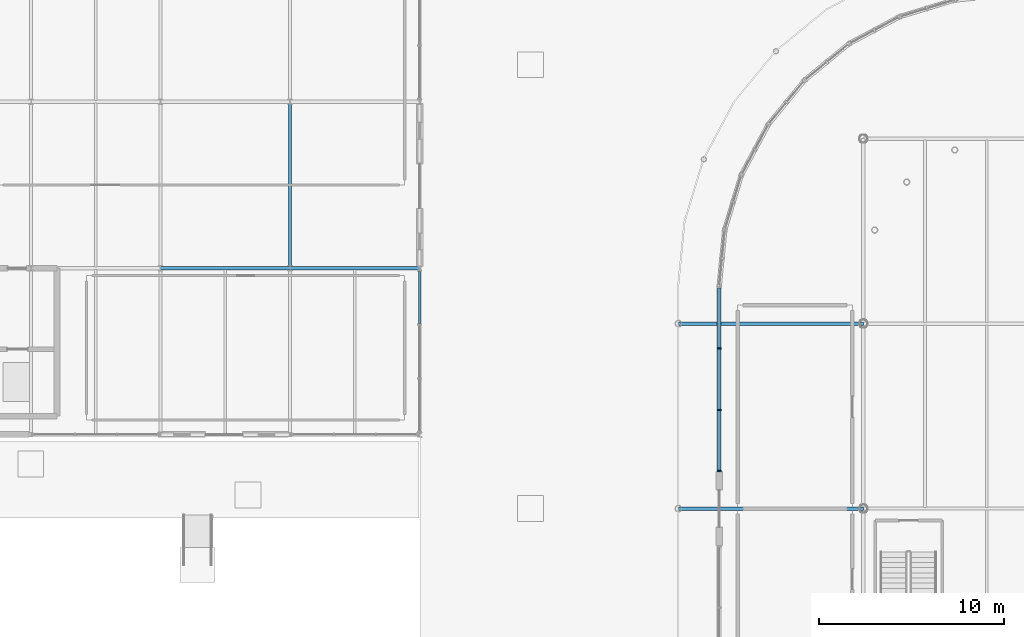
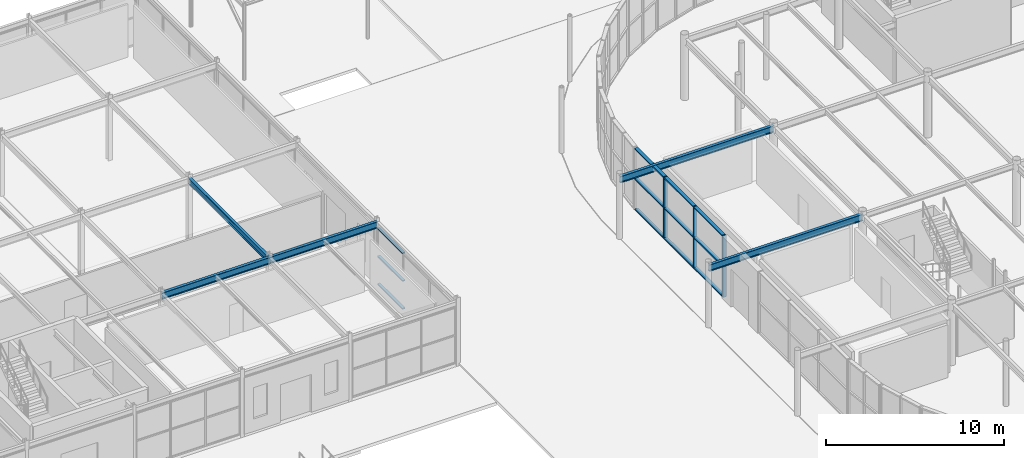
# One storey, part 50 of 119: 15 members, 5 beams, 2 elements without a shape of their own.
"""IFC4 building model written with IfcOpenShell, lengths in metres."""

from ifc_helpers import new_model, si_unit, derived_unit, direction, frame, origin, origin_2d_with_axis, place, context, subcontext, project, spatial, rectangle, i_section, extrude, material, material_profile, profile_set, type_object, element, aggregate, save


model = new_model("IFC4")

# Units and contexts
model_context = context("Model", 3, precision=1e-05, world=origin(), true_north=direction((0.0, 1.0)))
body_context = subcontext(model_context, "Body", "Model", "MODEL_VIEW")
ifc_project = project(units=[si_unit("LENGTHUNIT", "METRE"), si_unit("AREAUNIT", "SQUARE_METRE"), si_unit("VOLUMEUNIT", "CUBIC_METRE"), si_unit("PLANEANGLEUNIT", "RADIAN"), si_unit("MASSUNIT", "GRAM", prefix="KILO"), derived_unit("THERMALTRANSMITTANCEUNIT", [(si_unit("POWERUNIT", "WATT"), 1), (si_unit("LENGTHUNIT", "METRE"), -2), (si_unit("THERMODYNAMICTEMPERATUREUNIT", "KELVIN"), -1)])], contexts=[model_context])

# Site, building, storey
site_placement = place(None, origin())
site = spatial("IfcSite", under=ifc_project, at=site_placement, CompositionType="ELEMENT")
building_placement = place(site_placement, origin())
building = spatial("IfcBuilding", under=site, at=building_placement, Name="Cinnabar Yard Market Hall", CompositionType="ELEMENT")
storey_placement = place(building_placement, origin())
storey = spatial("IfcBuildingStorey", under=building, at=storey_placement, Name="L00", CompositionType="ELEMENT", Elevation=0.0)

# Beams
ifc_material_1 = material(Name="Steel Grade 300 (300 MPa)", Category="steel")
ifc_material_profile_1 = material_profile(ifc_material_1, i_section(OverallWidth=0.18994140625, OverallDepth=0.453857421875, WebThickness=0.008544921875, FlangeThickness=0.0126953125, FilletRadius=0.011474609375, at=origin_2d_with_axis()), Name="460UB67.1")
ifc_profile_set_1 = profile_set([ifc_material_profile_1], Name="Steel Grade 300 (300 MPa)")
beam_type_1 = type_object("IfcBeamType", Name="BM-B05", PredefinedType="BEAM", material=ifc_profile_set_1)
for number, where, z_axis, x_axis, name in (
    (1, (38.0, 57.0, 4.01318359375), (1.0, 0.0, 0.0), (0.0, 1.0, 0.0), "V2 L00 Girder X 00655"),
    (2, (45.0, 57.0, 4.01318359375), (1.0, 0.0, 0.0), (0.0, 1.0, 0.0), "V2 L00 Girder X 00660"),
):
    element("IfcBeam", number, at=place(storey_placement, frame(where, z_axis=z_axis, x_axis=x_axis)), inside=storey, type_object=beam_type_1, Name=name, PredefinedType="BEAM", context=body_context, shape_type="SweptSolid", body=[
        extrude(i_section(OverallWidth=0.18994140625, OverallDepth=0.453857421875, WebThickness=0.008544921875, FlangeThickness=0.0126953125, FilletRadius=0.011474609375, at=origin_2d_with_axis()), origin(), (0.0, 0.0, 1.0), 7.0),
    ])
ifc_material_profile_2 = material_profile(ifc_material_1, i_section(OverallWidth=0.18994140625, OverallDepth=0.453857421875, WebThickness=0.008544921875, FlangeThickness=0.0126953125, FilletRadius=0.011474609375, at=origin_2d_with_axis()), Name="460UB67.1")
ifc_profile_set_2 = profile_set([ifc_material_profile_2], Name="Steel Grade 300 (300 MPa)")
beam_type_2 = type_object("IfcBeamType", Name="BM-B05E", PredefinedType="BEAM", material=ifc_profile_set_2)
for number, where, z_axis, x_axis, name in (
    (3, (76.0, 44.0, 4.01318359375), (-1.0, 0.0, 0.0), (0.0, -1.0, 0.0), "L00 Gallery West Tie 00198"),
    (4, (76.0, 54.0, 4.01318359375), (-1.0, 0.0, 0.0), (0.0, -1.0, 0.0), "L00 Gallery West Tie 00200"),
):
    element("IfcBeam", number, at=place(storey_placement, frame(where, z_axis=z_axis, x_axis=x_axis)), inside=storey, type_object=beam_type_2, Name=name, PredefinedType="BEAM", context=body_context, shape_type="SweptSolid", body=[
        extrude(i_section(OverallWidth=0.18994140625, OverallDepth=0.453857421875, WebThickness=0.008544921875, FlangeThickness=0.0126953125, FilletRadius=0.011474609375, at=origin_2d_with_axis()), origin(), (0.0, 0.0, 1.0), 10.0),
    ])
ifc_material_profile_3 = material_profile(ifc_material_1, i_section(OverallWidth=0.177978515625, OverallDepth=0.406494140625, WebThickness=0.0078125, FlangeThickness=0.0126953125, FilletRadius=0.011474609375, at=origin_2d_with_axis()), Name="410UB59.7")
ifc_profile_set_3 = profile_set([ifc_material_profile_3], Name="Steel Grade 300 (300 MPa)")
beam_type_3 = type_object("IfcBeamType", Name="BM-B06", PredefinedType="BEAM", material=ifc_profile_set_3)
beam_placement = place(storey_placement, frame((45.0, 57.0, 4.036865234375), z_axis=(0.0, 1.0, 0.0), x_axis=(-1.0, 0.0, 0.0)))
element("IfcBeam", 5, at=beam_placement, inside=storey, type_object=beam_type_3, Name="V2 L00 Girder Y 00700", PredefinedType="BEAM", context=body_context, shape_type="SweptSolid", body=[
    extrude(i_section(OverallWidth=0.177978515625, OverallDepth=0.406494140625, WebThickness=0.0078125, FlangeThickness=0.0126953125, FilletRadius=0.011474609375, at=origin_2d_with_axis()), origin(), (0.0, 0.0, 1.0), 9.0),
])

# Curtain wall, members
ifc_material_2 = material(Name="Anodised bronze aluminium and low-E glass", Category="aluminium")
curtain_wall_type_1 = type_object("IfcCurtainWallType", Name="CW-CWH100x42", PredefinedType="NOTDEFINED", material=ifc_material_2)
curtain_wall_1_placement = place(storey_placement, origin())
curtain_wall_1 = element("IfcCurtainWall", 6, at=curtain_wall_1_placement, inside=storey, type_object=curtain_wall_type_1, Name="Market Hall West Ground Glazing W2", PredefinedType="NOTDEFINED")
ifc_material_3 = material(Name="Anodised bronze aluminium", Category="aluminium")
ifc_material_profile_4 = material_profile(ifc_material_3, rectangle(XDim=0.219970703125, YDim=0.080078125, at=origin_2d_with_axis()), Name="MUL-CWH")
ifc_profile_set_4 = profile_set([ifc_material_profile_4], Name="Anodised bronze aluminium")
member_type_1 = type_object("IfcMemberType", Name="CWM-CWH", PredefinedType="MULLION", material=ifc_profile_set_4)
member_1_placement = place(storey_placement, frame((68.199951171875, 52.666748046875, 0.0), z_axis=(0.0, 0.0, 1.0), x_axis=(1.0, 0.0, 0.0)))
member_1 = element("IfcMember", 7, at=member_1_placement, type_object=member_type_1, Name="CWH100x42 mullion 2", PredefinedType="MULLION", context=body_context, shape_type="SweptSolid", body=[
    extrude(rectangle(XDim=0.219970703125, YDim=0.080078125, at=origin_2d_with_axis()), origin(), (0.0, 0.0, 1.0), 4.239990234375),
])
member_2_placement = place(storey_placement, frame((68.199951171875, 49.333251953125, 0.0), z_axis=(0.0, 0.0, 1.0), x_axis=(1.0, 0.0, 0.0)))
member_2 = element("IfcMember", 8, at=member_2_placement, type_object=member_type_1, Name="CWH100x42 mullion 3", PredefinedType="MULLION", context=body_context, shape_type="SweptSolid", body=[
    extrude(rectangle(XDim=0.219970703125, YDim=0.080078125, at=origin_2d_with_axis()), origin(), (0.0, 0.0, 1.0), 4.239990234375),
])
member_3_placement = place(storey_placement, frame((68.199951171875, 46.0400390625, 0.0), z_axis=(0.0, 0.0, 1.0), x_axis=(1.0, 0.0, 0.0)))
member_3 = element("IfcMember", 9, at=member_3_placement, type_object=member_type_1, Name="CWH100x42 mullion 4", PredefinedType="MULLION", context=body_context, shape_type="SweptSolid", body=[
    extrude(rectangle(XDim=0.219970703125, YDim=0.080078125, at=origin_2d_with_axis()), origin(), (0.0, 0.0, 1.0), 4.239990234375),
])

ifc_material_4 = material(Name="Anodised bronze aluminium courtyard facade", Category="aluminium")
curtain_wall_type_2 = type_object("IfcCurtainWallType", Name="CW-CWF088x39", PredefinedType="NOTDEFINED", material=ifc_material_4)
curtain_wall_2_placement = place(storey_placement, origin())
curtain_wall_2 = element("IfcCurtainWall", 10, at=curtain_wall_2_placement, inside=storey, type_object=curtain_wall_type_2, Name="Pavilion Courtyard Glazing L00 Bay 1", PredefinedType="NOTDEFINED")
ifc_material_profile_5 = material_profile(ifc_material_3, rectangle(XDim=0.179931640625, YDim=0.074951171875, at=origin_2d_with_axis()), Name="TRN-CWF")
ifc_profile_set_5 = profile_set([ifc_material_profile_5], Name="Anodised bronze aluminium")
member_type_2 = type_object("IfcMemberType", Name="CWT-CWF", PredefinedType="USERDEFINED", material=ifc_profile_set_5)
member_4_placement = place(storey_placement, frame((52.0, 54.004150390625, 0.03759765625), z_axis=(0.0, 1.0, 0.0), x_axis=(-1.0, 0.0, 0.0)))
member_4 = element("IfcMember", 11, at=member_4_placement, type_object=member_type_2, Name="CWF088x39 transom 3.1", ObjectType="TRANSOM", PredefinedType="USERDEFINED", context=body_context, shape_type="SweptSolid", body=[
    extrude(rectangle(XDim=0.179931640625, YDim=0.074951171875, at=origin_2d_with_axis()), origin(), (0.0, 0.0, 1.0), 2.82080078125),
])
member_5_placement = place(storey_placement, frame((52.0, 54.004150390625, 1.93994140625), z_axis=(0.0, 1.0, 0.0), x_axis=(-1.0, 0.0, 0.0)))
member_5 = element("IfcMember", 12, at=member_5_placement, type_object=member_type_2, Name="CWF088x39 transom 3.2", ObjectType="TRANSOM", PredefinedType="USERDEFINED", context=body_context, shape_type="SweptSolid", body=[
    extrude(rectangle(XDim=0.179931640625, YDim=0.074951171875, at=origin_2d_with_axis()), origin(), (0.0, 0.0, 1.0), 2.82080078125),
])
member_6_placement = place(storey_placement, frame((52.0, 54.004150390625, 3.842529296875), z_axis=(0.0, 1.0, 0.0), x_axis=(-1.0, 0.0, 0.0)))
member_6 = element("IfcMember", 13, at=member_6_placement, type_object=member_type_2, Name="CWF088x39 transom 3.3", ObjectType="TRANSOM", PredefinedType="USERDEFINED", context=body_context, shape_type="SweptSolid", body=[
    extrude(rectangle(XDim=0.179931640625, YDim=0.074951171875, at=origin_2d_with_axis()), origin(), (0.0, 0.0, 1.0), 2.82080078125),
])
aggregate(curtain_wall_2, [member_4, member_5, member_6])

# Member
ifc_material_profile_6 = material_profile(ifc_material_3, rectangle(XDim=0.219970703125, YDim=0.080078125, at=origin_2d_with_axis()), Name="TRN-CWH")
ifc_profile_set_6 = profile_set([ifc_material_profile_6], Name="Anodised bronze aluminium")
member_type_3 = type_object("IfcMemberType", Name="CWT-CWH", PredefinedType="USERDEFINED", material=ifc_profile_set_6)
member_7_placement = place(storey_placement, frame((68.199951171875, 55.919921875, 0.0400390625), z_axis=(0.0, -1.0, 0.0), x_axis=(1.0, 0.0, 0.0)))
member_7 = element("IfcMember", 14, at=member_7_placement, type_object=member_type_3, Name="CWH100x42 transom 1.1", ObjectType="TRANSOM", PredefinedType="USERDEFINED", context=body_context, shape_type="SweptSolid", body=[
    extrude(rectangle(XDim=0.219970703125, YDim=0.080078125, at=origin_2d_with_axis()), origin(), (0.0, 0.0, 1.0), 3.213134765625),
])

member_8_placement = place(storey_placement, frame((68.199951171875, 55.919921875, 2.1201171875), z_axis=(0.0, -1.0, 0.0), x_axis=(1.0, 0.0, 0.0)))
member_8 = element("IfcMember", 15, at=member_8_placement, type_object=member_type_3, Name="CWH100x42 transom 1.2", ObjectType="TRANSOM", PredefinedType="USERDEFINED", context=body_context, shape_type="SweptSolid", body=[
    extrude(rectangle(XDim=0.219970703125, YDim=0.080078125, at=origin_2d_with_axis()), origin(), (0.0, 0.0, 1.0), 3.213134765625),
])

member_9_placement = place(storey_placement, frame((68.199951171875, 55.919921875, 4.199951171875), z_axis=(0.0, -1.0, 0.0), x_axis=(1.0, 0.0, 0.0)))
member_9 = element("IfcMember", 16, at=member_9_placement, type_object=member_type_3, Name="CWH100x42 transom 1.3", ObjectType="TRANSOM", PredefinedType="USERDEFINED", context=body_context, shape_type="SweptSolid", body=[
    extrude(rectangle(XDim=0.219970703125, YDim=0.080078125, at=origin_2d_with_axis()), origin(), (0.0, 0.0, 1.0), 3.213134765625),
])

member_10_placement = place(storey_placement, frame((68.199951171875, 52.626708984375, 0.0400390625), z_axis=(0.0, -1.0, 0.0), x_axis=(1.0, 0.0, 0.0)))
member_10 = element("IfcMember", 17, at=member_10_placement, type_object=member_type_3, Name="CWH100x42 transom 2.1", ObjectType="TRANSOM", PredefinedType="USERDEFINED", context=body_context, shape_type="SweptSolid", body=[
    extrude(rectangle(XDim=0.219970703125, YDim=0.080078125, at=origin_2d_with_axis()), origin(), (0.0, 0.0, 1.0), 3.25341796875),
])

member_11_placement = place(storey_placement, frame((68.199951171875, 52.626708984375, 2.1201171875), z_axis=(0.0, -1.0, 0.0), x_axis=(1.0, 0.0, 0.0)))
member_11 = element("IfcMember", 18, at=member_11_placement, type_object=member_type_3, Name="CWH100x42 transom 2.2", ObjectType="TRANSOM", PredefinedType="USERDEFINED", context=body_context, shape_type="SweptSolid", body=[
    extrude(rectangle(XDim=0.219970703125, YDim=0.080078125, at=origin_2d_with_axis()), origin(), (0.0, 0.0, 1.0), 3.25341796875),
])

member_12_placement = place(storey_placement, frame((68.199951171875, 52.626708984375, 4.199951171875), z_axis=(0.0, -1.0, 0.0), x_axis=(1.0, 0.0, 0.0)))
member_12 = element("IfcMember", 19, at=member_12_placement, type_object=member_type_3, Name="CWH100x42 transom 2.3", ObjectType="TRANSOM", PredefinedType="USERDEFINED", context=body_context, shape_type="SweptSolid", body=[
    extrude(rectangle(XDim=0.219970703125, YDim=0.080078125, at=origin_2d_with_axis()), origin(), (0.0, 0.0, 1.0), 3.25341796875),
])

member_13_placement = place(storey_placement, frame((68.199951171875, 49.293212890625, 0.0400390625), z_axis=(0.0, -1.0, 0.0), x_axis=(1.0, 0.0, 0.0)))
member_13 = element("IfcMember", 20, at=member_13_placement, type_object=member_type_3, Name="CWH100x42 transom 3.1", ObjectType="TRANSOM", PredefinedType="USERDEFINED", context=body_context, shape_type="SweptSolid", body=[
    extrude(rectangle(XDim=0.219970703125, YDim=0.080078125, at=origin_2d_with_axis()), origin(), (0.0, 0.0, 1.0), 3.213134765625),
])

member_14_placement = place(storey_placement, frame((68.199951171875, 49.293212890625, 2.1201171875), z_axis=(0.0, -1.0, 0.0), x_axis=(1.0, 0.0, 0.0)))
member_14 = element("IfcMember", 21, at=member_14_placement, type_object=member_type_3, Name="CWH100x42 transom 3.2", ObjectType="TRANSOM", PredefinedType="USERDEFINED", context=body_context, shape_type="SweptSolid", body=[
    extrude(rectangle(XDim=0.219970703125, YDim=0.080078125, at=origin_2d_with_axis()), origin(), (0.0, 0.0, 1.0), 3.213134765625),
])

member_15_placement = place(storey_placement, frame((68.199951171875, 49.293212890625, 4.199951171875), z_axis=(0.0, -1.0, 0.0), x_axis=(1.0, 0.0, 0.0)))
member_15 = element("IfcMember", 22, at=member_15_placement, type_object=member_type_3, Name="CWH100x42 transom 3.3", ObjectType="TRANSOM", PredefinedType="USERDEFINED", context=body_context, shape_type="SweptSolid", body=[
    extrude(rectangle(XDim=0.219970703125, YDim=0.080078125, at=origin_2d_with_axis()), origin(), (0.0, 0.0, 1.0), 3.213134765625),
])

aggregate(curtain_wall_1, [member_1, member_2, member_3, member_7, member_8, member_9, member_10, member_11, member_12, member_13, member_14, member_15])

save(model, "model.ifc")
